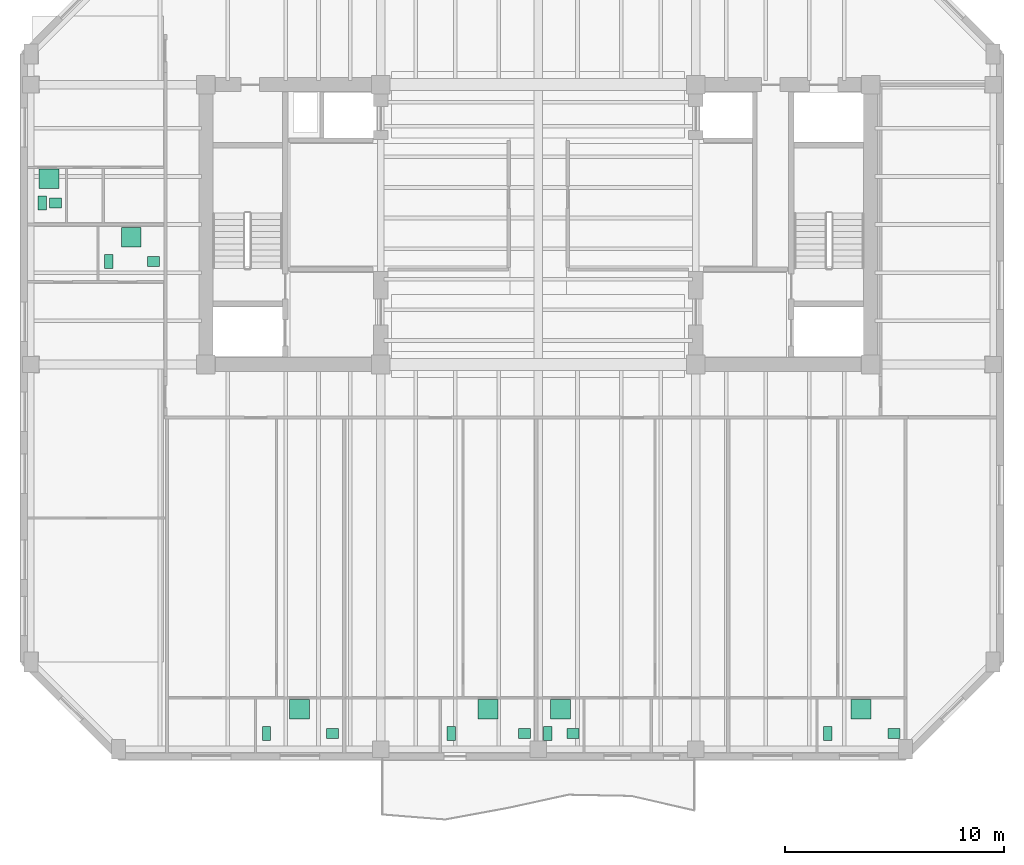
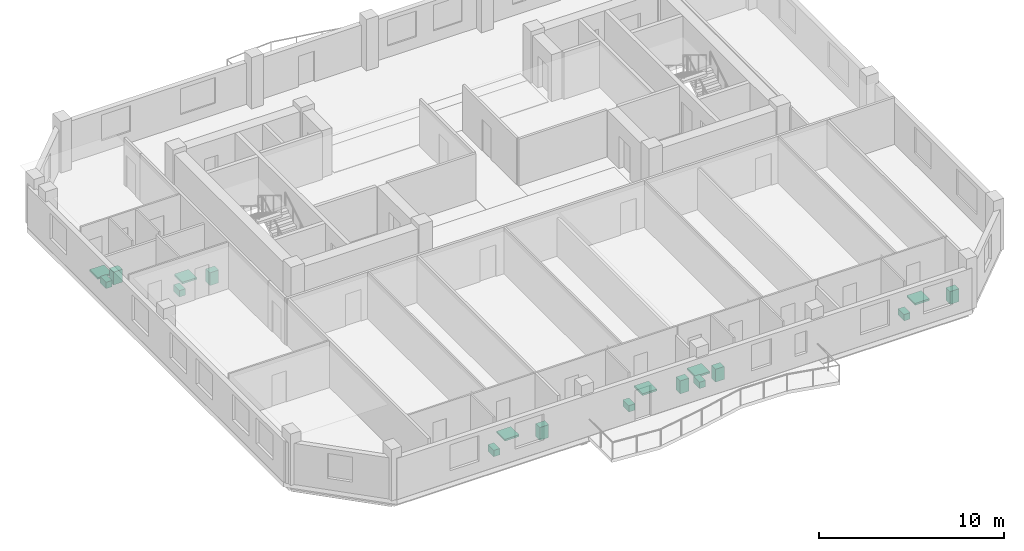
# One storey, part 11 of 11: 18 sanitary terminals.
"""IFC4 building model written with IfcOpenShell, lengths in metres."""

from ifc_helpers import new_model, si_unit, direction, frame, origin, origin_2d, place, context, subcontext, project, spatial, rectangle, extrude, material, type_object, element, save


model = new_model("IFC4")

# Units and contexts
model_context = context("Model", 3, precision=1e-05, world=origin(), true_north=direction((0.0, 1.0)))
body_context = subcontext(model_context, "Body", "Model", "MODEL_VIEW")
ifc_project = project(units=[si_unit("LENGTHUNIT", "METRE"), si_unit("AREAUNIT", "SQUARE_METRE"), si_unit("VOLUMEUNIT", "CUBIC_METRE"), si_unit("PLANEANGLEUNIT", "RADIAN"), si_unit("MASSUNIT", "GRAM", prefix="KILO")], contexts=[model_context])

# Site, building, storey
site_placement = place(None, origin())
site = spatial("IfcSite", under=ifc_project, at=site_placement, CompositionType="ELEMENT")
building_placement = place(site_placement, origin())
building = spatial("IfcBuilding", under=site, at=building_placement, Name="Kranthara Brick Stack", CompositionType="ELEMENT")
storey_placement = place(building_placement, frame((0.0, 0.0, 217.699951171875)))
storey = spatial("IfcBuildingStorey", under=building, at=storey_placement, Name="L56", CompositionType="ELEMENT", Elevation=217.699951171875)

# Sanitary terminals
ifc_material_1 = material(Name="Vitreous china sanitary porcelain", Category="other")
sanitary_terminal_type_1 = type_object("IfcSanitaryTerminalType", Name="SAN-BASIN", PredefinedType="WASHHANDBASIN", material=ifc_material_1)
for number, where, z_axis, x_axis, name in (
    (1, (18.596923828125, 3.925048828125, 0.0), (0.0, 0.0, 1.0), (1.0, 0.0, 0.0), "L56 Washbasin 302"),
    (2, (27.3798828125, 3.925048828125, 0.0), (0.0, 0.0, 1.0), (1.0, 0.0, 0.0), "L56 Washbasin 303"),
    (3, (29.590087890625, 3.925048828125, 0.0), (0.0, 0.0, 1.0), (1.0, 0.0, 0.0), "L56 Washbasin 304"),
    (4, (44.27001953125, 3.925048828125, 0.0), (0.0, 0.0, 1.0), (1.0, 0.0, 0.0), "L56 Washbasin 305"),
    (5, (10.409912109375, 25.514892578125, 0.0), (0.0, 0.0, 1.0), (1.0, 0.0, 0.0), "L56 Washbasin 306"),
    (6, (5.925048828125, 28.18505859375, 0.0), (0.0, 0.0, 1.0), (1.0, 0.0, 0.0), "L56 Washbasin 307"),
):
    element("IfcSanitaryTerminal", number, at=place(storey_placement, frame(where, z_axis=z_axis, x_axis=x_axis)), inside=storey, type_object=sanitary_terminal_type_1, Name=name, PredefinedType="WASHHANDBASIN", context=body_context, shape_type="SweptSolid", body=[
        extrude(rectangle(XDim=0.550048828125, YDim=0.449951171875, at=origin_2d()), origin(), (0.0, 0.0, 1.0), 0.85009765625),
    ])
ifc_material_2 = material(Name="Acrylic and porcelain shower tray", Category="other")
sanitary_terminal_type_2 = type_object("IfcSanitaryTerminalType", Name="SAN-SHOWER", PredefinedType="SHOWER", material=ifc_material_2)
for number, where, z_axis, x_axis, name in (
    (7, (17.0849609375, 5.030029296875, 0.0), (0.0, 0.0, 1.0), (1.0, 0.0, 0.0), "L56 Shower Tray 302"),
    (8, (25.698974609375, 5.030029296875, 0.0), (0.0, 0.0, 1.0), (1.0, 0.0, 0.0), "L56 Shower Tray 303"),
    (9, (29.014892578125, 5.030029296875, 0.0), (0.0, 0.0, 1.0), (1.0, 0.0, 0.0), "L56 Shower Tray 304"),
    (10, (42.758056640625, 5.030029296875, 0.0), (0.0, 0.0, 1.0), (1.0, 0.0, 0.0), "L56 Shower Tray 305"),
    (11, (9.386962890625, 26.6201171875, 0.0), (0.0, 0.0, 1.0), (1.0, 0.0, 0.0), "L56 Shower Tray 306"),
    (12, (5.623046875, 29.2900390625, 0.0), (0.0, 0.0, 1.0), (1.0, 0.0, 0.0), "L56 Shower Tray 307"),
):
    element("IfcSanitaryTerminal", number, at=place(storey_placement, frame(where, z_axis=z_axis, x_axis=x_axis)), inside=storey, type_object=sanitary_terminal_type_2, Name=name, PredefinedType="SHOWER", context=body_context, shape_type="SweptSolid", body=[
        extrude(rectangle(XDim=0.89990234375, YDim=0.89990234375, at=origin_2d()), origin(), (0.0, 0.0, 1.0), 0.1201171875),
    ])
ifc_material_3 = material(Name="Vitreous china sanitary porcelain", Category="other")
sanitary_terminal_type_3 = type_object("IfcSanitaryTerminalType", Name="SAN-WC-PAN", PredefinedType="TOILETPAN", material=ifc_material_3)
for number, where, z_axis, x_axis, name in (
    (13, (15.572998046875, 3.925048828125, 0.0), (0.0, 0.0, 1.0), (1.0, 0.0, 0.0), "L56 WC Pan 302"),
    (14, (24.01806640625, 3.925048828125, 0.0), (0.0, 0.0, 1.0), (1.0, 0.0, 0.0), "L56 WC Pan 303"),
    (15, (28.43994140625, 3.925048828125, 0.0), (0.0, 0.0, 1.0), (1.0, 0.0, 0.0), "L56 WC Pan 304"),
    (16, (41.24609375, 3.925048828125, 0.0), (0.0, 0.0, 1.0), (1.0, 0.0, 0.0), "L56 WC Pan 305"),
    (17, (8.364990234375, 25.514892578125, 0.0), (0.0, 0.0, 1.0), (1.0, 0.0, 0.0), "L56 WC Pan 306"),
    (18, (5.320068359375, 28.18505859375, 0.0), (0.0, 0.0, 1.0), (1.0, 0.0, 0.0), "L56 WC Pan 307"),
):
    element("IfcSanitaryTerminal", number, at=place(storey_placement, frame(where, z_axis=z_axis, x_axis=x_axis)), inside=storey, type_object=sanitary_terminal_type_3, Name=name, PredefinedType="TOILETPAN", context=body_context, shape_type="SweptSolid", body=[
        extrude(rectangle(XDim=0.3798828125, YDim=0.64990234375, at=origin_2d()), origin(), (0.0, 0.0, 1.0), 0.419921875),
    ])

save(model, "model.ifc")
